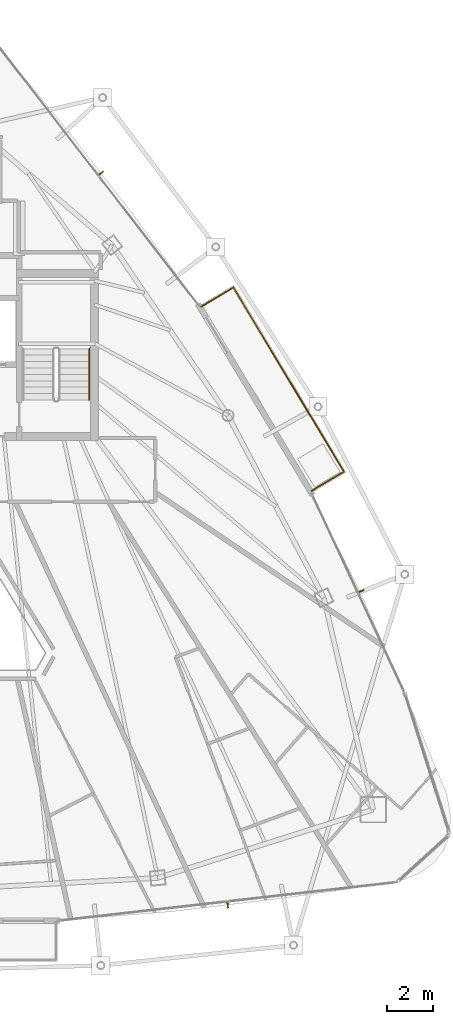
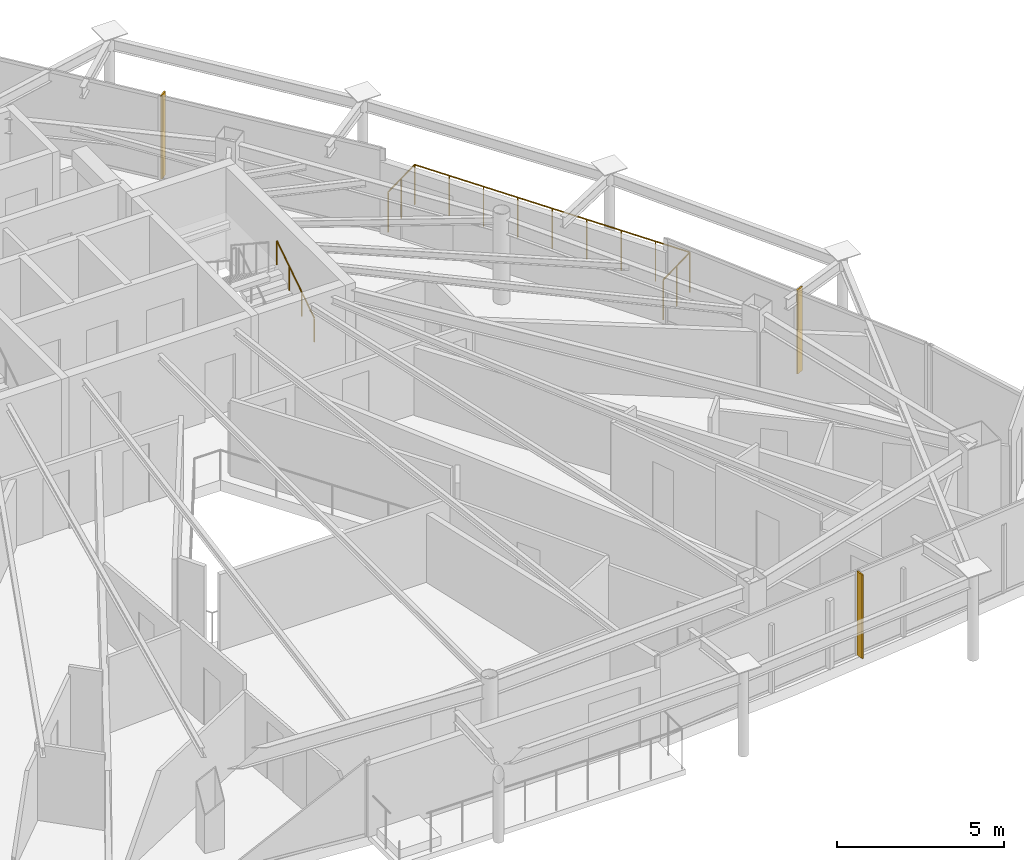
# One storey, part 29 of 29: 3 shading devices, 2 railings.
"""IFC4 building model written with IfcOpenShell, lengths in metres."""

from ifc_helpers import new_model, si_unit, direction, frame, origin, origin_2d, place, context, subcontext, project, spatial, rectangle, circle, extrude, material, layer, layer_set, type_object, element, save


model = new_model("IFC4")

# Units and contexts
model_context = context("Model", 3, precision=1e-05, world=origin(), true_north=direction((0.0, 1.0)))
body_context = subcontext(model_context, "Body", "Model", "MODEL_VIEW")
ifc_project = project(units=[si_unit("LENGTHUNIT", "METRE"), si_unit("AREAUNIT", "SQUARE_METRE"), si_unit("VOLUMEUNIT", "CUBIC_METRE"), si_unit("PLANEANGLEUNIT", "RADIAN"), si_unit("MASSUNIT", "GRAM", prefix="KILO")], contexts=[model_context])

# Site, building, storey
site_placement = place(None, origin())
site = spatial("IfcSite", under=ifc_project, at=site_placement, CompositionType="ELEMENT")
building_placement = place(site_placement, origin())
building = spatial("IfcBuilding", under=site, at=building_placement, Name="Orvanel Arch Residences", CompositionType="ELEMENT")
storey_placement = place(building_placement, frame((0.0, 0.0, 256.85009765625)))
storey = spatial("IfcBuildingStorey", under=building, at=storey_placement, Name="L73", CompositionType="ELEMENT", Elevation=256.85009765625)

# Shading devices
ifc_material_1 = material(Name="Bronze-anodised aluminium AA6063-T6", Category="aluminium")
ifc_layer = layer(ifc_material_1, 0.050048828125)
ifc_layer_set = layer_set([ifc_layer], Name="Bronze-anodised aluminium AA6063-T6")
shading_device_type = type_object("IfcShadingDeviceType", Name="FIN-BRZ-260", PredefinedType="USERDEFINED", material=ifc_layer_set)
for number, where, z_axis, x_axis, name in (
    (1, (45.419921875, 6.1640625, -0.000244140625), (0.0, 0.0, 1.0), (0.113203213768, -0.993571855677, 0.0), "L73 Anodised Bronze Mullion FIN 01"),
    (2, (51.27392578125, 19.93310546875, -0.000244140625), (0.0, 0.0, 1.0), (0.906307787037, 0.422618261741, 0.0), "L73 Anodised Bronze Mullion FIN 01"),
    (3, (39.866943359375, 38.26806640625, -0.000244140625), (0.0, 0.0, 1.0), (0.791223532967, 0.611527040186, 0.0), "L73 Anodised Bronze Mullion FIN 01"),
):
    element("IfcShadingDevice", number, at=place(storey_placement, frame(where, z_axis=z_axis, x_axis=x_axis)), inside=storey, type_object=shading_device_type, Name=name, ObjectType="FIN", PredefinedType="USERDEFINED", context=body_context, shape_type="SweptSolid", body=[
        extrude(rectangle(XDim=0.260009765625, YDim=0.050048828125, at=origin_2d()), origin(), (0.0, 0.0, 1.0), 3.06005859375),
    ])

# Railings
railing_type_1 = type_object("IfcRailingType", Name="RL-BAL-1480", PredefinedType="BALUSTRADE", material=ifc_material_1)
railing_1_placement = place(storey_placement, frame((49.10595703125, 24.330078125, 0.0)))
element("IfcRailing", 4, at=railing_1_placement, inside=storey, type_object=railing_type_1, Name="L73 Balcony Perimeter Guardrail Face 3", PredefinedType="BALUSTRADE", context=body_context, shape_type="SweptSolid", body=[
    extrude(circle(Radius=0.02392578125, at=origin_2d()), frame((0.001220703125, 0.000732421875, 1.4560546875), z_axis=(0.857545439568, 0.514408222208, 0.0), x_axis=(-0.514408222208, 0.857545439568, 0.0)), (0.0, 0.0, 1.0), 1.6376953125),
    extrude(circle(Radius=0.02392578125, at=origin_2d()), frame((1.40625, 0.84521484375, 1.4560546875), z_axis=(-0.514343319019, 0.857584369133, 0.0), x_axis=(-0.857584369133, -0.514343319019, 0.0)), (0.0, 0.0, 1.0), 9.418701171875),
    extrude(circle(Radius=0.02392578125, at=origin_2d()), frame((-3.440185546875, 8.923095703125, 1.4560546875), z_axis=(-0.857387817543, -0.514670895164, 0.0), x_axis=(0.514670895164, -0.857387817543, 0.0)), (0.0, 0.0, 1.0), 1.636962890625),
    extrude(circle(Radius=0.02099609375, at=origin_2d()), origin(), (0.0, 0.0, 1.0), 1.429931640625),
    extrude(circle(Radius=0.02099609375, at=origin_2d()), frame((0.70361328125, 0.421875, 0.0)), (0.0, 0.0, 1.0), 1.429931640625),
    extrude(circle(Radius=0.02099609375, at=origin_2d()), frame((1.406982421875, 0.843994140625, 0.0)), (0.0, 0.0, 1.0), 1.429931640625),
    extrude(circle(Radius=0.02099609375, at=origin_2d()), frame((0.80126953125, 1.85400390625, 0.0)), (0.0, 0.0, 1.0), 1.429931640625),
    extrude(circle(Radius=0.02099609375, at=origin_2d()), frame((0.195556640625, 2.864013671875, 0.0)), (0.0, 0.0, 1.0), 1.429931640625),
    extrude(circle(Radius=0.02099609375, at=origin_2d()), frame((-0.41015625, 3.8740234375, 0.0)), (0.0, 0.0, 1.0), 1.429931640625),
    extrude(circle(Radius=0.02099609375, at=origin_2d()), frame((-1.01611328125, 4.8837890625, 0.0)), (0.0, 0.0, 1.0), 1.429931640625),
    extrude(circle(Radius=0.02099609375, at=origin_2d()), frame((-1.621826171875, 5.893798828125, 0.0)), (0.0, 0.0, 1.0), 1.429931640625),
    extrude(circle(Radius=0.02099609375, at=origin_2d()), frame((-2.2275390625, 6.90380859375, 0.0)), (0.0, 0.0, 1.0), 1.429931640625),
    extrude(circle(Radius=0.02099609375, at=origin_2d()), frame((-2.833251953125, 7.913818359375, 0.0)), (0.0, 0.0, 1.0), 1.429931640625),
    extrude(circle(Radius=0.02099609375, at=origin_2d()), frame((-3.43896484375, 8.923828125, 0.0)), (0.0, 0.0, 1.0), 1.429931640625),
    extrude(circle(Radius=0.02099609375, at=origin_2d()), frame((-4.14208984375, 8.501953125, 0.0)), (0.0, 0.0, 1.0), 1.429931640625),
    extrude(circle(Radius=0.02099609375, at=origin_2d()), frame((-4.844970703125, 8.079833984375, 0.0)), (0.0, 0.0, 1.0), 1.429931640625),
])
ifc_material_2 = material(Name="Structural steel AS/NZS 1163 C350L0 (Grade 350)", Category="steel")
railing_type_2 = type_object("IfcRailingType", Name="RL-STAIR-HAND", PredefinedType="HANDRAIL", material=ifc_material_2)
railing_2_placement = place(storey_placement, frame((39.35009765625, 28.320068359375, 0.183349609375)))
element("IfcRailing", 5, at=railing_2_placement, inside=storey, type_object=railing_type_2, Name="L73 ST-2 stair handrail 1", PredefinedType="HANDRAIL", context=body_context, shape_type="SweptSolid", body=[
    extrude(circle(Radius=0.02392578125, at=origin_2d()), frame((0.0, 0.001220703125, 0.876708984375), z_axis=(0.0, 0.836636935527, 0.547757827979), x_axis=(-1.0, 0.0, 0.0)), (0.0, 0.0, 1.0), 2.67431640625),
    extrude(circle(Radius=0.02099609375, at=origin_2d()), origin(), (0.0, 0.0, 1.0), 0.849853515625),
    extrude(circle(Radius=0.02099609375, at=origin_2d()), frame((0.0, 0.74658203125, 0.48876953125)), (0.0, 0.0, 1.0), 0.849853515625),
    extrude(circle(Radius=0.02099609375, at=origin_2d()), frame((0.0, 1.493408203125, 0.977783203125)), (0.0, 0.0, 1.0), 0.849853515625),
    extrude(circle(Radius=0.02099609375, at=origin_2d()), frame((0.0, 2.239990234375, 1.466552734375)), (0.0, 0.0, 1.0), 0.849853515625),
])

save(model, "model.ifc")
